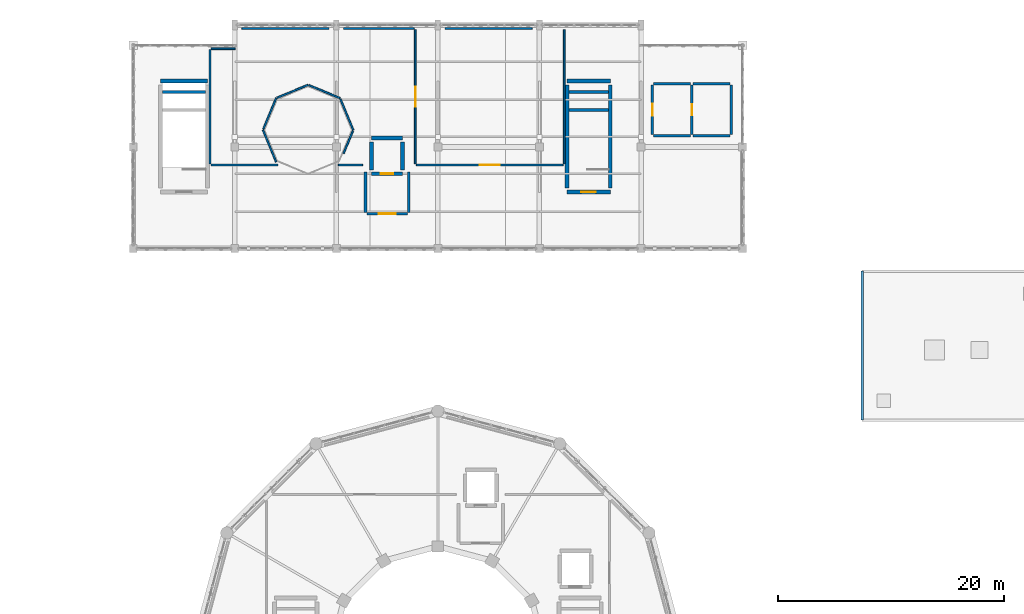
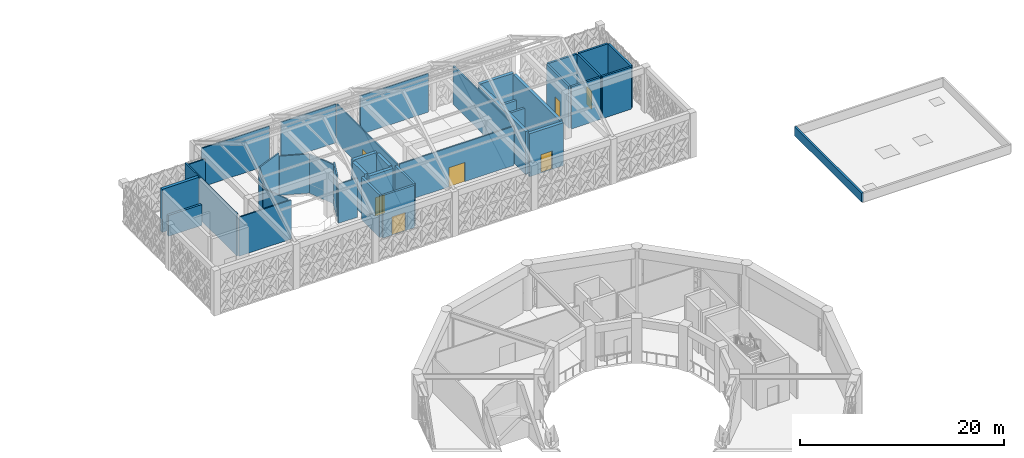
# One storey, part 66 of 72: 39 walls, 7 doors, 7 openings.
"""IFC4 building model written with IfcOpenShell, lengths in metres."""

from ifc_helpers import new_model, si_unit, direction, frame, frame_2d, origin, place, context, subcontext, project, spatial, rectangle, extrude, material, layer, layer_set, type_object, element, fill, save


model = new_model("IFC4")

# Units and contexts
model_context = context("Model", 3, precision=1e-05, world=origin(), true_north=direction((0.0, 1.0)))
body_context = subcontext(model_context, "Body", "Model", "MODEL_VIEW")
ifc_project = project(units=[si_unit("LENGTHUNIT", "METRE"), si_unit("AREAUNIT", "SQUARE_METRE"), si_unit("VOLUMEUNIT", "CUBIC_METRE"), si_unit("PLANEANGLEUNIT", "RADIAN"), si_unit("MASSUNIT", "GRAM", prefix="KILO")], contexts=[model_context])

# Site, building, storey
site_placement = place(None, origin())
site = spatial("IfcSite", under=ifc_project, at=site_placement, CompositionType="ELEMENT")
building_placement = place(site_placement, origin())
building = spatial("IfcBuilding", under=site, at=building_placement, Name="Haizhuo Lancet Aquarium", CompositionType="ELEMENT")
storey_placement = place(building_placement, frame((0.0, 0.0, 21.60009765625)))
storey = spatial("IfcBuildingStorey", under=building, at=storey_placement, Name="L04", CompositionType="ELEMENT", Elevation=21.60009765625)

# Wall
ifc_material_1 = material(Name="Shandong Grey Limestone Ashlar", Category="masonry")
ifc_layer_1 = layer(ifc_material_1, 0.219970703125)
ifc_layer_set_1 = layer_set([ifc_layer_1], Name="Shandong Grey Limestone Ashlar")
wall_type_1 = type_object("IfcWallType", Name="EWL-PAR-220", PredefinedType="PARAPET", material=ifc_layer_set_1)
wall_1_placement = place(storey_placement, frame((37.60009765625, 20.800048828125, 0.0), z_axis=(0.0, 0.0, 1.0), x_axis=(0.0, 1.0, 0.0)))
element("IfcWall", 1, at=wall_1_placement, inside=storey, type_object=wall_type_1, Name="L04 V7 penthouse roof parapet 4", PredefinedType="PARAPET", context=body_context, shape_type="SweptSolid", body=[
    extrude(rectangle(XDim=13.199951171875, YDim=0.219970703125, at=frame_2d((6.60009765625, 0.0))), origin(), (0.0, 0.0, 1.0), 1.0498046875),
])

# Wall, opening, door
ifc_material_2 = material(Name="Concrete C40/50", Category="concrete")
ifc_layer_2 = layer(ifc_material_2, 0.239990234375)
ifc_layer_set_2 = layer_set([ifc_layer_2], Name="Concrete C40/50")
wall_type_2 = type_object("IfcWallType", Name="IWL-FIRE-240", PredefinedType="PARTITIONING", material=ifc_layer_set_2)
wall_2_placement = place(storey_placement, frame((-6.300048828125, 39.080078125, 0.0), z_axis=(0.0, 0.0, 1.0), x_axis=(1.0, 0.0, 0.0)))
wall_2 = element("IfcWall", 2, at=wall_2_placement, inside=storey, type_object=wall_type_2, Name="L04 LF-02 protected lift lobby firewall S", PredefinedType="PARTITIONING", context=body_context, shape_type="SweptSolid", body=[
    extrude(rectangle(XDim=3.60009765625, YDim=0.239990234375, at=frame_2d((1.800048828125, 0.0))), origin(), (0.0, 0.0, 1.0), 5.099853515625),
])
opening_1_placement = place(wall_2_placement, frame((1.050048828125, 0.0, 0.0)))
opening_1 = element("IfcOpeningElement", 3, at=opening_1_placement, cuts=wall_2, Name="Opening FD-03", PredefinedType="OPENING", context=body_context, shape_type="SweptSolid", body=[
    extrude(rectangle(XDim=1.5, YDim=2.199951171875, at=frame_2d((0.75, 1.10009765625))), frame((0.0, 0.1298828125, 0.0), z_axis=(0.0, -1.0, 0.0), x_axis=(1.0, 0.0, 0.0)), (0.0, 0.0, 1.0), 0.25999),
])
ifc_material_3 = material(Name="Steel S355", Category="steel")
door_type_1 = type_object("IfcDoorType", Name="IDR-FFL-1500x2200", OperationType="NOTDEFINED", PredefinedType="DOOR", material=ifc_material_3)
door_1_placement = place(opening_1_placement, origin())
door_1 = element("IfcDoor", 4, at=door_1_placement, inside=storey, type_object=door_type_1, Name="L04 LF-02 protected lift lobby door", OperationType="SINGLE_SWING_LEFT", OverallHeight=2.199951171875, OverallWidth=1.5, PredefinedType="DOOR", context=body_context, shape_type="SweptSolid", body=[
    extrude(rectangle(XDim=1.5, YDim=2.199951171875, at=frame_2d((0.75, 1.10009765625))), frame((0.0, 0.02490234375, 0.0), z_axis=(0.0, -1.0, 0.0), x_axis=(1.0, 0.0, 0.0)), (0.0, 0.0, 1.0), 0.050048828125),
])
fill(opening_1, door_1)

# Walls
for number, where, z_axis, x_axis, name in (
    (5, (-6.419921875, 39.199951171875, 0.0), (0.0, 0.0, 1.0), (0.0, 1.0, 0.0), "L04 LF-02 protected lift lobby firewall W"),
    (6, (-2.580078125, 39.199951171875, 0.0), (0.0, 0.0, 1.0), (0.0, 1.0, 0.0), "L04 LF-02 protected lift lobby firewall E"),
):
    element("IfcWall", number, at=place(storey_placement, frame(where, z_axis=z_axis, x_axis=x_axis)), inside=storey, type_object=wall_type_2, Name=name, PredefinedType="PARTITIONING", context=body_context, shape_type="SweptSolid", body=[
        extrude(rectangle(XDim=3.60009765625, YDim=0.239990234375, at=frame_2d((1.800048828125, 0.0))), origin(), (0.0, 0.0, 1.0), 5.099853515625),
    ])

# Wall, opening, door
ifc_layer_3 = layer(ifc_material_2, 0.219970703125)
ifc_layer_set_3 = layer_set([ifc_layer_3], Name="Concrete C40/50")
wall_type_3 = type_object("IfcWallType", Name="IWL-PLB-220", PredefinedType="PLUMBINGWALL", material=ifc_layer_set_3)
wall_3_placement = place(storey_placement, frame((19.0, 50.5, 0.0), z_axis=(0.0, 0.0, 1.0), x_axis=(0.0, -1.0, 0.0)))
wall_3 = element("IfcWall", 7, at=wall_3_placement, inside=storey, type_object=wall_type_3, Name="L04 partition wall 515", PredefinedType="PLUMBINGWALL", context=body_context, shape_type="SweptSolid", body=[
    extrude(rectangle(XDim=4.39990234375, YDim=0.219970703125, at=frame_2d((2.199951171875, 0.0))), origin(), (0.0, 0.0, 1.0), 5.0498046875),
])
opening_2_placement = place(wall_3_placement, frame((1.675048828125, 0.0, 0.0)))
opening_2 = element("IfcOpeningElement", 8, at=opening_2_placement, cuts=wall_3, Name="Opening D-08", PredefinedType="OPENING", context=body_context, shape_type="SweptSolid", body=[
    extrude(rectangle(XDim=1.050048828125, YDim=2.14990234375, at=frame_2d((0.52490234375, 1.074951171875))), frame((0.0, 0.119873046875, 0.0), z_axis=(0.0, -1.0, 0.0), x_axis=(1.0, 0.0, 0.0)), (0.0, 0.0, 1.0), 0.239971),
])
ifc_material_4 = material(Name="Aluminium 6063-T6", Category="aluminium")
door_type_2 = type_object("IfcDoorType", Name="IDR-AWC-1050x2150", OperationType="NOTDEFINED", PredefinedType="DOOR", material=ifc_material_4)
door_2_placement = place(opening_2_placement, origin())
door_2 = element("IfcDoor", 9, at=door_2_placement, inside=storey, type_object=door_type_2, Name="L04 Fourth Floor Accessible WC door", OperationType="SINGLE_SWING_LEFT", OverallHeight=2.14990234375, OverallWidth=1.050048828125, PredefinedType="DOOR", context=body_context, shape_type="SweptSolid", body=[
    extrude(rectangle(XDim=1.050048828125, YDim=2.14990234375, at=frame_2d((0.52490234375, 1.074951171875))), frame((0.0, 0.02490234375, 0.0), z_axis=(0.0, -1.0, 0.0), x_axis=(1.0, 0.0, 0.0)), (0.0, 0.0, 1.0), 0.050048828125),
])
fill(opening_2, door_2)

# Wall
wall_4_placement = place(storey_placement, frame((19.10009765625, 46.0, 0.0), z_axis=(0.0, 0.0, 1.0), x_axis=(1.0, 0.0, 0.0)))
element("IfcWall", 10, at=wall_4_placement, inside=storey, type_object=wall_type_3, Name="L04 partition wall 516", PredefinedType="PLUMBINGWALL", context=body_context, shape_type="SweptSolid", body=[
    extrude(rectangle(XDim=3.2998046875, YDim=0.219970703125, at=frame_2d((1.64990234375, 0.0))), origin(), (0.0, 0.0, 1.0), 5.0498046875),
])

# Wall, opening, door
wall_5_placement = place(storey_placement, frame((22.5, 46.10009765625, 0.0), z_axis=(0.0, 0.0, 1.0), x_axis=(0.0, 1.0, 0.0)))
wall_5 = element("IfcWall", 11, at=wall_5_placement, inside=storey, type_object=wall_type_3, Name="L04 partition wall 517", PredefinedType="PLUMBINGWALL", context=body_context, shape_type="SweptSolid", body=[
    extrude(rectangle(XDim=4.39990234375, YDim=0.219970703125, at=frame_2d((2.199951171875, 0.0))), origin(), (0.0, 0.0, 1.0), 5.0498046875),
])
opening_3_placement = place(wall_5_placement, frame((1.72509765625, 0.0, 0.0)))
opening_3 = element("IfcOpeningElement", 12, at=opening_3_placement, cuts=wall_5, Name="Opening D-07", PredefinedType="OPENING", context=body_context, shape_type="SweptSolid", body=[
    extrude(rectangle(XDim=0.949951171875, YDim=2.14990234375, at=frame_2d((0.47509765625, 1.074951171875))), frame((0.0, 0.119873046875, 0.0), z_axis=(0.0, -1.0, 0.0), x_axis=(1.0, 0.0, 0.0)), (0.0, 0.0, 1.0), 0.239971),
])
door_type_3 = type_object("IfcDoorType", Name="IDR-WC-950x2150", OperationType="NOTDEFINED", PredefinedType="DOOR", material=ifc_material_4)
door_3_placement = place(opening_3_placement, origin())
door_3 = element("IfcDoor", 13, at=door_3_placement, inside=storey, type_object=door_type_3, Name="L04 Fourth Floor Public WC door", OperationType="SINGLE_SWING_RIGHT", OverallHeight=2.14990234375, OverallWidth=0.949951171875, PredefinedType="DOOR", context=body_context, shape_type="SweptSolid", body=[
    extrude(rectangle(XDim=0.949951171875, YDim=2.14990234375, at=frame_2d((0.47509765625, 1.074951171875))), frame((0.0, 0.02490234375, 0.0), z_axis=(0.0, -1.0, 0.0), x_axis=(1.0, 0.0, 0.0)), (0.0, 0.0, 1.0), 0.050048828125),
])
fill(opening_3, door_3)

# Walls
for number, where, z_axis, x_axis, name in (
    (14, (22.39990234375, 50.60009765625, 0.0), (0.0, 0.0, 1.0), (-1.0, 0.0, 0.0), "L04 partition wall 518"),
    (15, (22.60009765625, 46.0, 0.0), (0.0, 0.0, 1.0), (1.0, 0.0, 0.0), "L04 partition wall 519"),
):
    element("IfcWall", number, at=place(storey_placement, frame(where, z_axis=z_axis, x_axis=x_axis)), inside=storey, type_object=wall_type_3, Name=name, PredefinedType="PLUMBINGWALL", context=body_context, shape_type="SweptSolid", body=[
        extrude(rectangle(XDim=3.2998046875, YDim=0.219970703125, at=frame_2d((1.64990234375, 0.0))), origin(), (0.0, 0.0, 1.0), 5.0498046875),
    ])
wall_6_placement = place(storey_placement, frame((26.0, 46.10009765625, 0.0), z_axis=(0.0, 0.0, 1.0), x_axis=(0.0, 1.0, 0.0)))
element("IfcWall", 16, at=wall_6_placement, inside=storey, type_object=wall_type_3, Name="L04 partition wall 520", PredefinedType="PLUMBINGWALL", context=body_context, shape_type="SweptSolid", body=[
    extrude(rectangle(XDim=4.39990234375, YDim=0.219970703125, at=frame_2d((2.199951171875, 0.0))), origin(), (0.0, 0.0, 1.0), 5.0498046875),
])
wall_7_placement = place(storey_placement, frame((25.89990234375, 50.60009765625, 0.0), z_axis=(0.0, 0.0, 1.0), x_axis=(-1.0, 0.0, 0.0)))
element("IfcWall", 17, at=wall_7_placement, inside=storey, type_object=wall_type_3, Name="L04 partition wall 521", PredefinedType="PLUMBINGWALL", context=body_context, shape_type="SweptSolid", body=[
    extrude(rectangle(XDim=3.2998046875, YDim=0.219970703125, at=frame_2d((1.64990234375, 0.0))), origin(), (0.0, 0.0, 1.0), 5.0498046875),
])
ifc_material_5 = material(Name="Gypsum Fireboard Partition")
ifc_layer_4 = layer(ifc_material_5, 0.14990234375)
ifc_layer_set_4 = layer_set([ifc_layer_4], Name="Gypsum Fireboard Partition")
wall_type_4 = type_object("IfcWallType", Name="IWL-STD-150", PredefinedType="PARTITIONING", material=ifc_layer_set_4)
wall_8_placement = place(storey_placement, frame((-20.197998046875, 53.6201171875, 0.0), z_axis=(0.0, 0.0, 1.0), x_axis=(-0.000192994303, -0.999999981377, 0.0)))
element("IfcWall", 18, at=wall_8_placement, inside=storey, type_object=wall_type_4, Name="L04 partition wall 544", PredefinedType="PARTITIONING", context=body_context, shape_type="SweptSolid", body=[
    extrude(rectangle(XDim=10.1201171875, YDim=0.14990234375, at=frame_2d((5.06005859375, 0.0))), origin(), (0.0, 0.0, 1.0), 5.0498046875),
])
wall_9_placement = place(storey_placement, frame((-20.10009765625, 43.39990234375, 0.0), z_axis=(0.0, 0.0, 1.0), x_axis=(1.0, 0.0, 0.0)))
element("IfcWall", 19, at=wall_9_placement, inside=storey, type_object=wall_type_4, Name="L04 partition wall 545", PredefinedType="PARTITIONING", context=body_context, shape_type="SweptSolid", body=[
    extrude(rectangle(XDim=5.926025390625, YDim=0.14990234375, at=frame_2d((2.962890625, 0.0))), origin(), (0.0, 0.0, 1.0), 4.684814453125),
])
wall_10_placement = place(storey_placement, frame((-14.3291015625, 43.674072265625, 0.0), z_axis=(0.0, 0.0, 1.0), x_axis=(-0.382286027274, 0.924044042971, 0.0)))
element("IfcWall", 20, at=wall_10_placement, inside=storey, type_object=wall_type_4, Name="L04 partition wall 546", PredefinedType="PARTITIONING", context=body_context, shape_type="SweptSolid", body=[
    extrude(rectangle(XDim=3.060302734375, YDim=0.14990234375, at=frame_2d((1.5302734375, 0.0))), origin(), (0.0, 0.0, 1.0), 4.635009765625),
])
wall_11_placement = place(storey_placement, frame((-15.465087890625, 46.5849609375, 0.0), z_axis=(0.0, 0.0, 1.0), x_axis=(0.382985932097, 0.923754174992, 0.0)))
element("IfcWall", 21, at=wall_11_placement, inside=storey, type_object=wall_type_4, Name="L04 partition wall 547", PredefinedType="PARTITIONING", context=body_context, shape_type="SweptSolid", body=[
    extrude(rectangle(XDim=2.96923828125, YDim=0.14990234375, at=frame_2d((1.484619140625, 0.0))), origin(), (0.0, 0.0, 1.0), 5.0498046875),
])
wall_12_placement = place(storey_placement, frame((-14.2451171875, 49.362060546875, 0.0), z_axis=(0.0, 0.0, 1.0), x_axis=(0.923775431697, 0.382934657341, 0.0)))
element("IfcWall", 22, at=wall_12_placement, inside=storey, type_object=wall_type_4, Name="L04 partition wall 548", PredefinedType="PARTITIONING", context=body_context, shape_type="SweptSolid", body=[
    extrude(rectangle(XDim=2.9716796875, YDim=0.14990234375, at=frame_2d((1.48583984375, 0.0))), origin(), (0.0, 0.0, 1.0), 5.0498046875),
])
wall_13_placement = place(storey_placement, frame((-11.4169921875, 50.466064453125, 0.0), z_axis=(0.0, 0.0, 1.0), x_axis=(0.923734314356, -0.383033832031, 0.0)))
element("IfcWall", 23, at=wall_13_placement, inside=storey, type_object=wall_type_4, Name="L04 partition wall 549", PredefinedType="PARTITIONING", context=body_context, shape_type="SweptSolid", body=[
    extrude(rectangle(XDim=2.971435546875, YDim=0.14990234375, at=frame_2d((1.48583984375, 0.0))), origin(), (0.0, 0.0, 1.0), 4.684814453125),
])
wall_14_placement = place(storey_placement, frame((-8.637939453125, 49.2451171875, 0.0), z_axis=(0.0, 0.0, 1.0), x_axis=(0.382886684653, -0.923795316461, 0.0)))
element("IfcWall", 24, at=wall_14_placement, inside=storey, type_object=wall_type_4, Name="L04 partition wall 550", PredefinedType="PARTITIONING", context=body_context, shape_type="SweptSolid", body=[
    extrude(rectangle(XDim=2.969482421875, YDim=0.14990234375, at=frame_2d((1.48486328125, 0.0))), origin(), (0.0, 0.0, 1.0), 4.684814453125),
])
wall_15_placement = place(storey_placement, frame((-7.534912109375, 46.4189453125, 0.0), z_axis=(0.0, 0.0, 1.0), x_axis=(-0.382404898799, -0.923994855708, 0.0)))
element("IfcWall", 25, at=wall_15_placement, inside=storey, type_object=wall_type_4, Name="L04 partition wall 551", PredefinedType="PARTITIONING", context=body_context, shape_type="SweptSolid", body=[
    extrude(rectangle(XDim=2.16552734375, YDim=0.14990234375, at=frame_2d((1.082763671875, 0.0))), origin(), (0.0, 0.0, 1.0), 5.0498046875),
])
wall_16_placement = place(storey_placement, frame((-8.825927734375, 43.39990234375, 0.0), z_axis=(0.0, 0.0, 1.0), x_axis=(1.0, 0.0, 0.0)))
element("IfcWall", 26, at=wall_16_placement, inside=storey, type_object=wall_type_4, Name="L04 partition wall 552", PredefinedType="PARTITIONING", context=body_context, shape_type="SweptSolid", body=[
    extrude(rectangle(XDim=2.15087890625, YDim=0.14990234375, at=frame_2d((1.075439453125, 0.0))), origin(), (0.0, 0.0, 1.0), 4.684814453125),
])

# Wall, opening, door
wall_17_placement = place(storey_placement, frame((-2.0, 43.5, 0.0), z_axis=(0.0, 0.0, 1.0), x_axis=(0.0, 1.0, 0.0)))
wall_17 = element("IfcWall", 27, at=wall_17_placement, inside=storey, type_object=wall_type_4, Name="L04 partition wall 553", PredefinedType="PARTITIONING", context=body_context, shape_type="SweptSolid", body=[
    extrude(rectangle(XDim=11.89990234375, YDim=0.14990234375, at=frame_2d((5.949951171875, 0.0))), origin(), (0.0, 0.0, 1.0), 4.635009765625),
])
opening_4_placement = place(wall_17_placement, frame((5.050048828125, 0.0, 0.0)))
opening_4 = element("IfcOpeningElement", 28, at=opening_4_placement, cuts=wall_17, Name="Opening D-02", PredefinedType="OPENING", context=body_context, shape_type="SweptSolid", body=[
    extrude(rectangle(XDim=1.800048828125, YDim=2.300048828125, at=frame_2d((0.89990234375, 1.14990234375))), frame((0.0, 0.0849609375, 0.0), z_axis=(0.0, -1.0, 0.0), x_axis=(1.0, 0.0, 0.0)), (0.0, 0.0, 1.0), 0.169902),
])
door_type_4 = type_object("IfcDoorType", Name="IDR-GAL-1800x2300", OperationType="NOTDEFINED", PredefinedType="DOOR", material=ifc_material_4)
door_4_placement = place(opening_4_placement, origin())
door_4 = element("IfcDoor", 29, at=door_4_placement, inside=storey, type_object=door_type_4, Name="L04 Hadal Trench Exhibit Gallery door", OperationType="DOUBLE_DOOR_SINGLE_SWING", OverallHeight=2.300048828125, OverallWidth=1.800048828125, PredefinedType="DOOR", context=body_context, shape_type="SweptSolid", body=[
    extrude(rectangle(XDim=1.800048828125, YDim=2.300048828125, at=frame_2d((0.89990234375, 1.14990234375))), frame((0.0, 0.02490234375, 0.0), z_axis=(0.0, -1.0, 0.0), x_axis=(1.0, 0.0, 0.0)), (0.0, 0.0, 1.0), 0.050048828125),
])
fill(opening_4, door_4)

# Walls
wall_18_placement = place(storey_placement, frame((-2.10009765625, 55.5, 0.0), z_axis=(0.0, 0.0, 1.0), x_axis=(-1.0, 0.0, 0.0)))
element("IfcWall", 30, at=wall_18_placement, inside=storey, type_object=wall_type_4, Name="L04 partition wall 554", PredefinedType="PARTITIONING", context=body_context, shape_type="SweptSolid", body=[
    extrude(rectangle(XDim=6.25, YDim=0.14990234375, at=frame_2d((3.125, 0.0))), origin(), (0.0, 0.0, 1.0), 4.635009765625),
])
wall_19_placement = place(storey_placement, frame((-9.64990234375, 55.5, 0.0), z_axis=(0.0, 0.0, 1.0), x_axis=(-1.0, 0.0, 0.0)))
element("IfcWall", 31, at=wall_19_placement, inside=storey, type_object=wall_type_4, Name="L04 partition wall 555", PredefinedType="PARTITIONING", context=body_context, shape_type="SweptSolid", body=[
    extrude(rectangle(XDim=7.710205078125, YDim=0.14990234375, at=frame_2d((3.85498046875, 0.0))), origin(), (0.0, 0.0, 1.0), 4.635009765625),
])
wall_20_placement = place(storey_placement, frame((-17.972900390625, 53.700927734375, 0.0), z_axis=(0.0, 0.0, 1.0), x_axis=(-0.999999894621, -0.000459084079, 0.0)))
element("IfcWall", 32, at=wall_20_placement, inside=storey, type_object=wall_type_4, Name="L04 partition wall 556", PredefinedType="PARTITIONING", context=body_context, shape_type="SweptSolid", body=[
    extrude(rectangle(XDim=2.127197265625, YDim=0.14990234375, at=frame_2d((1.0634765625, 0.0))), origin(), (0.0, 0.0, 1.0), 4.684814453125),
])

# Wall, opening, door
wall_21_placement = place(storey_placement, frame((-1.89990234375, 43.39990234375, 0.0), z_axis=(0.0, 0.0, 1.0), x_axis=(1.0, 0.0, 0.0)))
wall_21 = element("IfcWall", 33, at=wall_21_placement, inside=storey, type_object=wall_type_4, Name="L04 partition wall 557", PredefinedType="PARTITIONING", context=body_context, shape_type="SweptSolid", body=[
    extrude(rectangle(XDim=13.0, YDim=0.14990234375, at=frame_2d((6.5, 0.0))), origin(), (0.0, 0.0, 1.0), 4.684814453125),
])
opening_5_placement = place(wall_21_placement, frame((5.60009765625, 0.0, 0.0)))
opening_5 = element("IfcOpeningElement", 34, at=opening_5_placement, cuts=wall_21, Name="Opening D-02", PredefinedType="OPENING", context=body_context, shape_type="SweptSolid", body=[
    extrude(rectangle(XDim=1.800048828125, YDim=2.300048828125, at=frame_2d((0.89990234375, 1.14990234375))), frame((0.0, 0.0849609375, 0.0), z_axis=(0.0, -1.0, 0.0), x_axis=(1.0, 0.0, 0.0)), (0.0, 0.0, 1.0), 0.169902),
])
door_5_placement = place(opening_5_placement, origin())
door_5 = element("IfcDoor", 35, at=door_5_placement, inside=storey, type_object=door_type_4, Name="L04 Hydrothermal Vent Exhibit Gallery door", OperationType="DOUBLE_DOOR_SINGLE_SWING", OverallHeight=2.300048828125, OverallWidth=1.800048828125, PredefinedType="DOOR", context=body_context, shape_type="SweptSolid", body=[
    extrude(rectangle(XDim=1.800048828125, YDim=2.300048828125, at=frame_2d((0.89990234375, 1.14990234375))), frame((0.0, 0.02490234375, 0.0), z_axis=(0.0, -1.0, 0.0), x_axis=(1.0, 0.0, 0.0)), (0.0, 0.0, 1.0), 0.050048828125),
])
fill(opening_5, door_5)

# Walls
wall_22_placement = place(storey_placement, frame((11.199951171875, 43.5, 0.0), z_axis=(0.0, 0.0, 1.0), x_axis=(0.0, 1.0, 0.0)))
element("IfcWall", 36, at=wall_22_placement, inside=storey, type_object=wall_type_4, Name="L04 partition wall 558", PredefinedType="PARTITIONING", context=body_context, shape_type="SweptSolid", body=[
    extrude(rectangle(XDim=11.89990234375, YDim=0.14990234375, at=frame_2d((5.949951171875, 0.0))), origin(), (0.0, 0.0, 1.0), 4.635009765625),
])
wall_23_placement = place(storey_placement, frame((8.35009765625, 55.5, 0.0), z_axis=(0.0, 0.0, 1.0), x_axis=(-1.0, 0.0, 0.0)))
element("IfcWall", 37, at=wall_23_placement, inside=storey, type_object=wall_type_4, Name="L04 partition wall 559", PredefinedType="PARTITIONING", context=body_context, shape_type="SweptSolid", body=[
    extrude(rectangle(XDim=7.7001953125, YDim=0.14990234375, at=frame_2d((3.85009765625, 0.0))), origin(), (0.0, 0.0, 1.0), 4.635009765625),
])
ifc_layer_5 = layer(ifc_material_2, 0.35009765625)
ifc_layer_set_5 = layer_set([ifc_layer_5], Name="Concrete C40/50")
wall_type_5 = type_object("IfcWallType", Name="WL-CORE-350", PredefinedType="SHEAR", material=ifc_layer_set_5)
wall_24_placement = place(storey_placement, frame((-24.39990234375, 49.875, 0.0), z_axis=(0.0, 0.0, 1.0), x_axis=(1.0, 0.0, 0.0)))
element("IfcWall", 38, at=wall_24_placement, inside=storey, type_object=wall_type_5, Name="L04 ST-07 far landing support wall", PredefinedType="SHEAR", context=body_context, shape_type="SweptSolid", body=[
    extrude(rectangle(XDim=3.7998046875, YDim=0.25, at=frame_2d((1.89990234375, 0.0))), origin(), (0.0, 0.0, 1.0), 2.5),
])
wall_25_placement = place(storey_placement, frame((-24.574951171875, 50.824951171875, 0.0), z_axis=(0.0, 0.0, 1.0), x_axis=(1.0, 0.0, 0.0)))
element("IfcWall", 39, at=wall_25_placement, inside=storey, type_object=wall_type_5, Name="L04 ST-07 core shear wall N", PredefinedType="SHEAR", context=body_context, shape_type="SweptSolid", body=[
    extrude(rectangle(XDim=4.14990234375, YDim=0.35009765625, at=frame_2d((2.074951171875, 0.0))), origin(), (0.0, 0.0, 1.0), 5.14990234375),
])
for number, where, z_axis, x_axis, name in (
    (40, (11.60009765625, 48.27490234375, 0.0), (0.0, 0.0, 1.0), (1.0, 0.0, 0.0), "L04 ST-08 landing support wall"),
    (41, (11.60009765625, 49.875, 0.0), (0.0, 0.0, 1.0), (1.0, 0.0, 0.0), "L04 ST-08 far landing support wall"),
):
    element("IfcWall", number, at=place(storey_placement, frame(where, z_axis=z_axis, x_axis=x_axis)), inside=storey, type_object=wall_type_5, Name=name, PredefinedType="SHEAR", context=body_context, shape_type="SweptSolid", body=[
        extrude(rectangle(XDim=3.5, YDim=0.25, at=frame_2d((1.75, 0.0))), origin(), (0.0, 0.0, 1.0), 2.5),
    ])

# Wall, opening, door
wall_26_placement = place(storey_placement, frame((11.425048828125, 41.02490234375, 0.0), z_axis=(0.0, 0.0, 1.0), x_axis=(1.0, 0.0, 0.0)))
wall_26 = element("IfcWall", 42, at=wall_26_placement, inside=storey, type_object=wall_type_5, Name="L04 ST-08 core shear wall S", PredefinedType="SHEAR", context=body_context, shape_type="SweptSolid", body=[
    extrude(rectangle(XDim=3.849853515625, YDim=0.35009765625, at=frame_2d((1.9248046875, 0.0))), origin(), (0.0, 0.0, 1.0), 5.14990234375),
])
opening_6_placement = place(wall_26_placement, frame((1.27490234375, 0.0, 0.0)))
opening_6 = element("IfcOpeningElement", 43, at=opening_6_placement, cuts=wall_26, Name="Opening FD-02", PredefinedType="OPENING", context=body_context, shape_type="SweptSolid", body=[
    extrude(rectangle(XDim=1.300048828125, YDim=2.199951171875, at=frame_2d((0.64990234375, 1.10009765625))), frame((0.0, 0.18505859375, 0.0), z_axis=(0.0, -1.0, 0.0), x_axis=(1.0, 0.0, 0.0)), (0.0, 0.0, 1.0), 0.370098),
])
door_type_5 = type_object("IfcDoorType", Name="IDR-STAIR-1300x2200", OperationType="NOTDEFINED", PredefinedType="DOOR", material=ifc_material_3)
door_6_placement = place(opening_6_placement, origin())
door_6 = element("IfcDoor", 44, at=door_6_placement, inside=storey, type_object=door_type_5, Name="L04 ST-08 stairwell fire door", OperationType="SINGLE_SWING_RIGHT", OverallHeight=2.199951171875, OverallWidth=1.300048828125, PredefinedType="DOOR", context=body_context, shape_type="SweptSolid", body=[
    extrude(rectangle(XDim=1.300048828125, YDim=2.199951171875, at=frame_2d((0.64990234375, 1.10009765625))), frame((0.0, 0.02490234375, 0.0), z_axis=(0.0, -1.0, 0.0), x_axis=(1.0, 0.0, 0.0)), (0.0, 0.0, 1.0), 0.050048828125),
])
fill(opening_6, door_6)

# Walls
wall_27_placement = place(storey_placement, frame((11.425048828125, 50.824951171875, 0.0), z_axis=(0.0, 0.0, 1.0), x_axis=(1.0, 0.0, 0.0)))
element("IfcWall", 45, at=wall_27_placement, inside=storey, type_object=wall_type_5, Name="L04 ST-08 core shear wall N", PredefinedType="SHEAR", context=body_context, shape_type="SweptSolid", body=[
    extrude(rectangle(XDim=3.849853515625, YDim=0.35009765625, at=frame_2d((1.9248046875, 0.0))), origin(), (0.0, 0.0, 1.0), 5.14990234375),
])
for number, where, z_axis, x_axis, name in (
    (46, (11.425048828125, 41.375, 0.0), (0.0, 0.0, 1.0), (0.0, 1.0, 0.0), "L04 ST-08 core shear wall W"),
    (47, (15.27490234375, 41.375, 0.0), (0.0, 0.0, 1.0), (0.0, 1.0, 0.0), "L04 ST-08 core shear wall E"),
):
    element("IfcWall", number, at=place(storey_placement, frame(where, z_axis=z_axis, x_axis=x_axis)), inside=storey, type_object=wall_type_5, Name=name, PredefinedType="SHEAR", context=body_context, shape_type="SweptSolid", body=[
        extrude(rectangle(XDim=9.10009765625, YDim=0.35009765625, at=frame_2d((4.550048828125, 0.0))), origin(), (0.0, 0.0, 1.0), 5.14990234375),
    ])

# Wall, opening, door
wall_28_placement = place(storey_placement, frame((-5.875, 42.625, 0.0), z_axis=(0.0, 0.0, 1.0), x_axis=(1.0, 0.0, 0.0)))
wall_28 = element("IfcWall", 48, at=wall_28_placement, inside=storey, type_object=wall_type_5, Name="L04 LF-02 lift shaft wall -Y", PredefinedType="SHEAR", context=body_context, shape_type="SweptSolid", body=[
    extrude(rectangle(XDim=2.75, YDim=0.35009765625, at=frame_2d((1.375, 0.0))), origin(), (0.0, 0.0, 1.0), 5.14990234375),
])
opening_7_placement = place(wall_28_placement, frame((0.824951171875, 0.0, 0.0)))
opening_7 = element("IfcOpeningElement", 49, at=opening_7_placement, cuts=wall_28, Name="Opening LD-01", PredefinedType="OPENING", context=body_context, shape_type="SweptSolid", body=[
    extrude(rectangle(XDim=1.10009765625, YDim=2.199951171875, at=frame_2d((0.550048828125, 1.10009765625))), frame((0.0, 0.18505859375, 0.0), z_axis=(0.0, -1.0, 0.0), x_axis=(1.0, 0.0, 0.0)), (0.0, 0.0, 1.0), 0.370098),
])
door_type_6 = type_object("IfcDoorType", Name="IDR-LIFT-1100x2200", OperationType="NOTDEFINED", PredefinedType="DOOR", material=ifc_material_3)
door_7_placement = place(opening_7_placement, origin())
door_7 = element("IfcDoor", 50, at=door_7_placement, inside=storey, type_object=door_type_6, Name="L04 LF-02 sliding lift landing door", OperationType="DOUBLE_DOOR_SLIDING", OverallHeight=2.199951171875, OverallWidth=1.10009765625, PredefinedType="DOOR", context=body_context, shape_type="SweptSolid", body=[
    extrude(rectangle(XDim=1.10009765625, YDim=2.199951171875, at=frame_2d((0.550048828125, 1.10009765625))), frame((0.0, 0.02490234375, 0.0), z_axis=(0.0, -1.0, 0.0), x_axis=(1.0, 0.0, 0.0)), (0.0, 0.0, 1.0), 0.050048828125),
])
fill(opening_7, door_7)

# Walls
wall_29_placement = place(storey_placement, frame((-3.125, 45.77490234375, 0.0), z_axis=(0.0, 0.0, 1.0), x_axis=(-1.0, 0.0, 0.0)))
element("IfcWall", 51, at=wall_29_placement, inside=storey, type_object=wall_type_5, Name="L04 LF-02 lift shaft wall +Y", PredefinedType="SHEAR", context=body_context, shape_type="SweptSolid", body=[
    extrude(rectangle(XDim=2.75, YDim=0.35009765625, at=frame_2d((1.375, 0.0))), origin(), (0.0, 0.0, 1.0), 5.14990234375),
])
for number, where, z_axis, x_axis, name in (
    (52, (-5.875, 42.97509765625, 0.0), (0.0, 0.0, 1.0), (0.0, 1.0, 0.0), "L04 LF-02 lift shaft wall -X"),
    (53, (-3.125, 42.97509765625, 0.0), (0.0, 0.0, 1.0), (0.0, 1.0, 0.0), "L04 LF-02 lift shaft wall +X"),
):
    element("IfcWall", number, at=place(storey_placement, frame(where, z_axis=z_axis, x_axis=x_axis)), inside=storey, type_object=wall_type_5, Name=name, PredefinedType="SHEAR", context=body_context, shape_type="SweptSolid", body=[
        extrude(rectangle(XDim=2.449951171875, YDim=0.35009765625, at=frame_2d((1.22509765625, 0.0))), origin(), (0.0, 0.0, 1.0), 5.14990234375),
    ])

save(model, "model.ifc")
